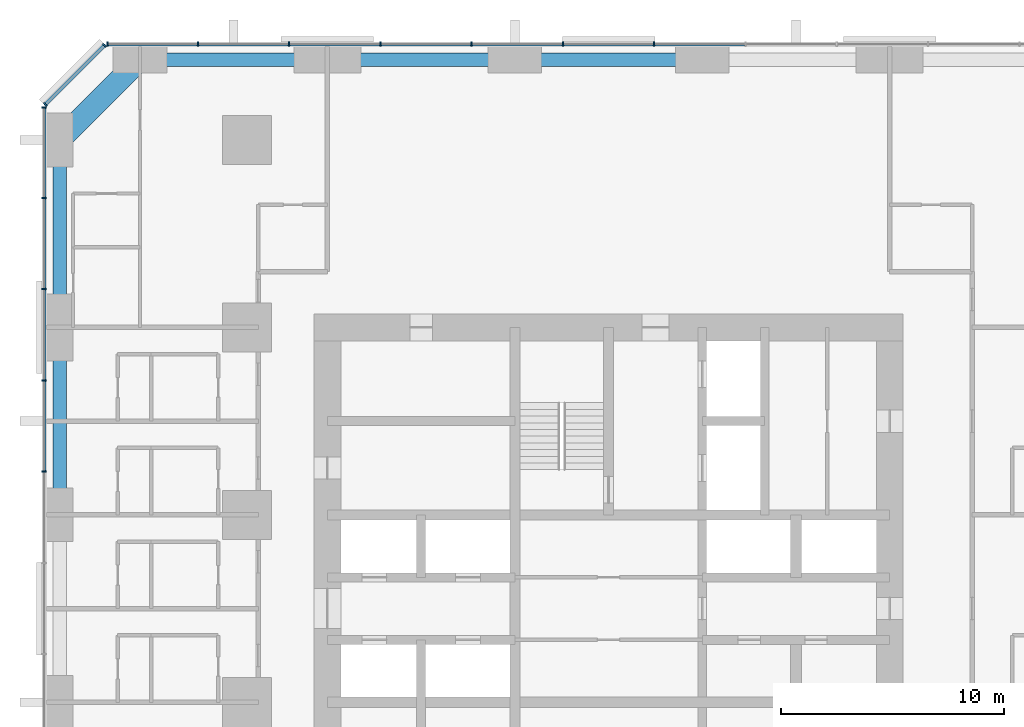
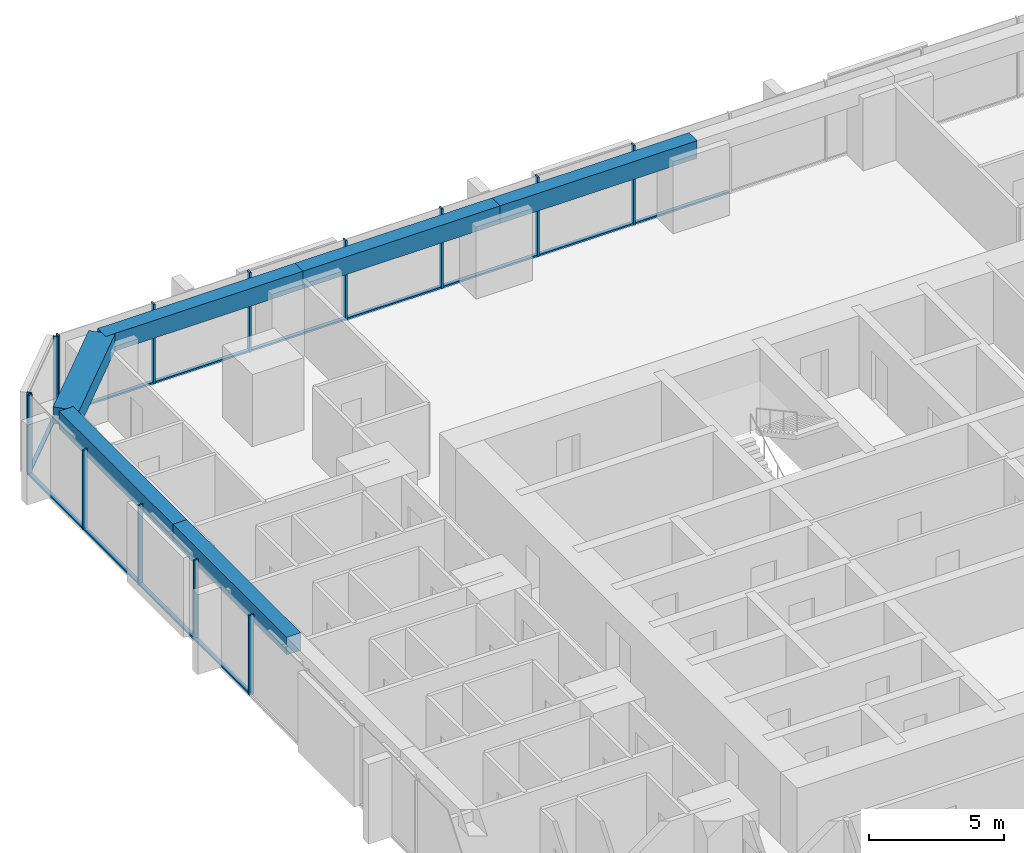
# One storey, part 5 of 13: 26 members, 6 beams, 3 elements without a shape of their own.
"""IFC4 building model written with IfcOpenShell, lengths in metres."""

from ifc_helpers import new_model, si_unit, direction, frame, origin, origin_2d, place, context, subcontext, project, spatial, rectangle, extrude, material, material_profile, profile_set, type_object, element, aggregate, save


model = new_model("IFC4")

# Units and contexts
model_context = context("Model", 3, precision=1e-05, world=origin(), true_north=direction((0.0, 1.0)))
body_context = subcontext(model_context, "Body", "Model", "MODEL_VIEW")
ifc_project = project(units=[si_unit("LENGTHUNIT", "METRE"), si_unit("AREAUNIT", "SQUARE_METRE"), si_unit("VOLUMEUNIT", "CUBIC_METRE"), si_unit("PLANEANGLEUNIT", "RADIAN"), si_unit("MASSUNIT", "GRAM", prefix="KILO")], contexts=[model_context])

# Site, building, storey
site_placement = place(None, origin())
site = spatial("IfcSite", under=ifc_project, at=site_placement, CompositionType="ELEMENT")
building_placement = place(site_placement, origin())
building = spatial("IfcBuilding", under=site, at=building_placement, Name="Dunama Terrace Hotel", CompositionType="ELEMENT")
storey_placement = place(building_placement, frame((0.0, 0.0, 162.60009765625)))
storey = spatial("IfcBuildingStorey", under=building, at=storey_placement, Name="L41", CompositionType="ELEMENT", Elevation=162.60009765625)

# Curtain wall, members
ifc_material_1 = material(Name="Aluminium curtain wall system", Category="aluminium")
curtain_wall_type = type_object("IfcCurtainWallType", Name="Unitised fritted glass wall CW-C", PredefinedType="NOTDEFINED", material=ifc_material_1)
curtain_wall_1_placement = place(storey_placement, origin())
curtain_wall_1 = element("IfcCurtainWall", 1, at=curtain_wall_1_placement, inside=storey, type_object=curtain_wall_type, Name="Unitised fritted glass wall CW-C L41", PredefinedType="NOTDEFINED")
ifc_material_2 = material(Name="Aluminium mullion", Category="aluminium")
ifc_material_profile_1 = material_profile(ifc_material_2, rectangle(XDim=0.070068359375, YDim=0.199951171875, at=origin_2d()), Name="CWC MULLION 70X200")
ifc_profile_set_1 = profile_set([ifc_material_profile_1], Name="Aluminium mullion")
member_type_1 = type_object("IfcMemberType", Name="CWC mullion 70x200", PredefinedType="MULLION", material=ifc_profile_set_1)
member_1_placement = place(storey_placement, frame((31.445068359375, 54.699951171875, 0.0), z_axis=(0.0, 0.0, 1.0), x_axis=(-1.0, 0.0, 0.0)))
member_1 = element("IfcMember", 2, at=member_1_placement, type_object=member_type_1, Name="CWC mullion", PredefinedType="MULLION", context=body_context, shape_type="SweptSolid", body=[
    extrude(rectangle(XDim=0.070068359375, YDim=0.199951171875, at=origin_2d()), origin(), (0.0, 0.0, 1.0), 3.599853515625),
])
member_2_placement = place(storey_placement, frame((27.35498046875, 54.699951171875, 0.0), z_axis=(0.0, 0.0, 1.0), x_axis=(-1.0, 0.0, 0.0)))
member_2 = element("IfcMember", 3, at=member_2_placement, type_object=member_type_1, Name="CWC mullion", PredefinedType="MULLION", context=body_context, shape_type="SweptSolid", body=[
    extrude(rectangle(XDim=0.070068359375, YDim=0.199951171875, at=origin_2d()), origin(), (0.0, 0.0, 1.0), 3.599853515625),
])
member_3_placement = place(storey_placement, frame((23.263916015625, 54.699951171875, 0.0), z_axis=(0.0, 0.0, 1.0), x_axis=(-1.0, 0.0, 0.0)))
member_3 = element("IfcMember", 4, at=member_3_placement, type_object=member_type_1, Name="CWC mullion", PredefinedType="MULLION", context=body_context, shape_type="SweptSolid", body=[
    extrude(rectangle(XDim=0.070068359375, YDim=0.199951171875, at=origin_2d()), origin(), (0.0, 0.0, 1.0), 3.599853515625),
])
member_4_placement = place(storey_placement, frame((19.173095703125, 54.699951171875, 0.0), z_axis=(0.0, 0.0, 1.0), x_axis=(-1.0, 0.0, 0.0)))
member_4 = element("IfcMember", 5, at=member_4_placement, type_object=member_type_1, Name="CWC mullion", PredefinedType="MULLION", context=body_context, shape_type="SweptSolid", body=[
    extrude(rectangle(XDim=0.070068359375, YDim=0.199951171875, at=origin_2d()), origin(), (0.0, 0.0, 1.0), 3.599853515625),
])
member_5_placement = place(storey_placement, frame((15.08203125, 54.699951171875, 0.0), z_axis=(0.0, 0.0, 1.0), x_axis=(-1.0, 0.0, 0.0)))
member_5 = element("IfcMember", 6, at=member_5_placement, type_object=member_type_1, Name="CWC mullion", PredefinedType="MULLION", context=body_context, shape_type="SweptSolid", body=[
    extrude(rectangle(XDim=0.070068359375, YDim=0.199951171875, at=origin_2d()), origin(), (0.0, 0.0, 1.0), 3.599853515625),
])
member_6_placement = place(storey_placement, frame((10.990966796875, 54.699951171875, 0.0), z_axis=(0.0, 0.0, 1.0), x_axis=(-1.0, 0.0, 0.0)))
member_6 = element("IfcMember", 7, at=member_6_placement, type_object=member_type_1, Name="CWC mullion", PredefinedType="MULLION", context=body_context, shape_type="SweptSolid", body=[
    extrude(rectangle(XDim=0.070068359375, YDim=0.199951171875, at=origin_2d()), origin(), (0.0, 0.0, 1.0), 3.599853515625),
])
member_7_placement = place(storey_placement, frame((6.93505859375, 54.699951171875, 0.0), z_axis=(0.0, 0.0, 1.0), x_axis=(-1.0, 0.0, 0.0)))
member_7 = element("IfcMember", 8, at=member_7_placement, type_object=member_type_1, Name="CWC mullion", PredefinedType="MULLION", context=body_context, shape_type="SweptSolid", body=[
    extrude(rectangle(XDim=0.070068359375, YDim=0.199951171875, at=origin_2d()), origin(), (0.0, 0.0, 1.0), 3.599853515625),
])

curtain_wall_2_placement = place(storey_placement, origin())
curtain_wall_2 = element("IfcCurtainWall", 9, at=curtain_wall_2_placement, inside=storey, type_object=curtain_wall_type, Name="Unitised fritted glass wall CW-C L41", PredefinedType="NOTDEFINED")
member_8_placement = place(storey_placement, frame((6.804931640625, 54.64599609375, 0.0), z_axis=(0.0, 0.0, 1.0), x_axis=(-0.707106781187, -0.707106781187, 0.0)))
member_8 = element("IfcMember", 10, at=member_8_placement, type_object=member_type_1, Name="CWC mullion", PredefinedType="MULLION", context=body_context, shape_type="SweptSolid", body=[
    extrude(rectangle(XDim=0.070068359375, YDim=0.199951171875, at=origin_2d()), origin(), (0.0, 0.0, 1.0), 3.599853515625),
])
member_9_placement = place(storey_placement, frame((4.154052734375, 51.9951171875, 0.0), z_axis=(0.0, 0.0, 1.0), x_axis=(-0.707106781187, -0.707106781187, 0.0)))
member_9 = element("IfcMember", 11, at=member_9_placement, type_object=member_type_1, Name="CWC mullion", PredefinedType="MULLION", context=body_context, shape_type="SweptSolid", body=[
    extrude(rectangle(XDim=0.070068359375, YDim=0.199951171875, at=origin_2d()), origin(), (0.0, 0.0, 1.0), 3.599853515625),
])

curtain_wall_3_placement = place(storey_placement, origin())
curtain_wall_3 = element("IfcCurtainWall", 12, at=curtain_wall_3_placement, inside=storey, type_object=curtain_wall_type, Name="Unitised fritted glass wall CW-C L41", PredefinedType="NOTDEFINED")
member_10_placement = place(storey_placement, frame((4.10009765625, 51.864990234375, 0.0), z_axis=(0.0, 0.0, 1.0), x_axis=(0.0, -1.0, 0.0)))
member_10 = element("IfcMember", 13, at=member_10_placement, type_object=member_type_1, Name="CWC mullion", PredefinedType="MULLION", context=body_context, shape_type="SweptSolid", body=[
    extrude(rectangle(XDim=0.070068359375, YDim=0.199951171875, at=origin_2d()), origin(), (0.0, 0.0, 1.0), 3.599853515625),
])
member_11_placement = place(storey_placement, frame((4.10009765625, 47.80908203125, 0.0), z_axis=(0.0, 0.0, 1.0), x_axis=(0.0, -1.0, 0.0)))
member_11 = element("IfcMember", 14, at=member_11_placement, type_object=member_type_1, Name="CWC mullion", PredefinedType="MULLION", context=body_context, shape_type="SweptSolid", body=[
    extrude(rectangle(XDim=0.070068359375, YDim=0.199951171875, at=origin_2d()), origin(), (0.0, 0.0, 1.0), 3.599853515625),
])
member_12_placement = place(storey_placement, frame((4.10009765625, 43.718017578125, 0.0), z_axis=(0.0, 0.0, 1.0), x_axis=(0.0, -1.0, 0.0)))
member_12 = element("IfcMember", 15, at=member_12_placement, type_object=member_type_1, Name="CWC mullion", PredefinedType="MULLION", context=body_context, shape_type="SweptSolid", body=[
    extrude(rectangle(XDim=0.070068359375, YDim=0.199951171875, at=origin_2d()), origin(), (0.0, 0.0, 1.0), 3.599853515625),
])
member_13_placement = place(storey_placement, frame((4.10009765625, 39.626953125, 0.0), z_axis=(0.0, 0.0, 1.0), x_axis=(0.0, -1.0, 0.0)))
member_13 = element("IfcMember", 16, at=member_13_placement, type_object=member_type_1, Name="CWC mullion", PredefinedType="MULLION", context=body_context, shape_type="SweptSolid", body=[
    extrude(rectangle(XDim=0.070068359375, YDim=0.199951171875, at=origin_2d()), origin(), (0.0, 0.0, 1.0), 3.599853515625),
])
member_14_placement = place(storey_placement, frame((4.10009765625, 35.535888671875, 0.0), z_axis=(0.0, 0.0, 1.0), x_axis=(0.0, -1.0, 0.0)))
member_14 = element("IfcMember", 17, at=member_14_placement, type_object=member_type_1, Name="CWC mullion", PredefinedType="MULLION", context=body_context, shape_type="SweptSolid", body=[
    extrude(rectangle(XDim=0.070068359375, YDim=0.199951171875, at=origin_2d()), origin(), (0.0, 0.0, 1.0), 3.599853515625),
])

# Member
ifc_material_3 = material(Name="Aluminium transom", Category="aluminium")
ifc_material_profile_2 = material_profile(ifc_material_3, rectangle(XDim=0.159912109375, YDim=0.080078125, at=origin_2d()), Name="CWC TRANSOM 160X80")
ifc_profile_set_2 = profile_set([ifc_material_profile_2], Name="Aluminium transom")
member_type_2 = type_object("IfcMemberType", Name="CWC transom 160x80", PredefinedType="USERDEFINED", material=ifc_profile_set_2)
member_15_placement = place(storey_placement, frame((35.5009765625, 54.699951171875, 0.039794921875), z_axis=(-1.0, 0.0, 0.0), x_axis=(0.0, -1.0, 0.0)))
member_15 = element("IfcMember", 18, at=member_15_placement, type_object=member_type_2, Name="CWC transom", ObjectType="TRANSOM", PredefinedType="USERDEFINED", context=body_context, shape_type="SweptSolid", body=[
    extrude(rectangle(XDim=0.159912109375, YDim=0.080078125, at=origin_2d()), origin(), (0.0, 0.0, 1.0), 4.02099609375),
])

member_16_placement = place(storey_placement, frame((31.409912109375, 54.699951171875, 0.039794921875), z_axis=(-1.0, 0.0, 0.0), x_axis=(0.0, -1.0, 0.0)))
member_16 = element("IfcMember", 19, at=member_16_placement, type_object=member_type_2, Name="CWC transom", ObjectType="TRANSOM", PredefinedType="USERDEFINED", context=body_context, shape_type="SweptSolid", body=[
    extrude(rectangle(XDim=0.159912109375, YDim=0.080078125, at=origin_2d()), origin(), (0.0, 0.0, 1.0), 4.02001953125),
])

member_17_placement = place(storey_placement, frame((27.320068359375, 54.699951171875, 0.039794921875), z_axis=(-1.0, 0.0, 0.0), x_axis=(0.0, -1.0, 0.0)))
member_17 = element("IfcMember", 20, at=member_17_placement, type_object=member_type_2, Name="CWC transom", ObjectType="TRANSOM", PredefinedType="USERDEFINED", context=body_context, shape_type="SweptSolid", body=[
    extrude(rectangle(XDim=0.159912109375, YDim=0.080078125, at=origin_2d()), origin(), (0.0, 0.0, 1.0), 4.02099609375),
])

member_18_placement = place(storey_placement, frame((23.22900390625, 54.699951171875, 0.039794921875), z_axis=(-1.0, 0.0, 0.0), x_axis=(0.0, -1.0, 0.0)))
member_18 = element("IfcMember", 21, at=member_18_placement, type_object=member_type_2, Name="CWC transom", ObjectType="TRANSOM", PredefinedType="USERDEFINED", context=body_context, shape_type="SweptSolid", body=[
    extrude(rectangle(XDim=0.159912109375, YDim=0.080078125, at=origin_2d()), origin(), (0.0, 0.0, 1.0), 4.02099609375),
])

member_19_placement = place(storey_placement, frame((19.137939453125, 54.699951171875, 0.039794921875), z_axis=(-1.0, 0.0, 0.0), x_axis=(0.0, -1.0, 0.0)))
member_19 = element("IfcMember", 22, at=member_19_placement, type_object=member_type_2, Name="CWC transom", ObjectType="TRANSOM", PredefinedType="USERDEFINED", context=body_context, shape_type="SweptSolid", body=[
    extrude(rectangle(XDim=0.159912109375, YDim=0.080078125, at=origin_2d()), origin(), (0.0, 0.0, 1.0), 4.02099609375),
])

member_20_placement = place(storey_placement, frame((15.047119140625, 54.699951171875, 0.039794921875), z_axis=(-1.0, 0.0, 0.0), x_axis=(0.0, -1.0, 0.0)))
member_20 = element("IfcMember", 23, at=member_20_placement, type_object=member_type_2, Name="CWC transom", ObjectType="TRANSOM", PredefinedType="USERDEFINED", context=body_context, shape_type="SweptSolid", body=[
    extrude(rectangle(XDim=0.159912109375, YDim=0.080078125, at=origin_2d()), origin(), (0.0, 0.0, 1.0), 4.021240234375),
])

member_21_placement = place(storey_placement, frame((10.9560546875, 54.699951171875, 0.039794921875), z_axis=(-1.0, 0.0, 0.0), x_axis=(0.0, -1.0, 0.0)))
member_21 = element("IfcMember", 24, at=member_21_placement, type_object=member_type_2, Name="CWC transom", ObjectType="TRANSOM", PredefinedType="USERDEFINED", context=body_context, shape_type="SweptSolid", body=[
    extrude(rectangle(XDim=0.159912109375, YDim=0.080078125, at=origin_2d()), origin(), (0.0, 0.0, 1.0), 3.986083984375),
])

aggregate(curtain_wall_1, [member_1, member_2, member_3, member_4, member_5, member_6, member_7, member_15, member_16, member_17, member_18, member_19, member_20, member_21])

member_22_placement = place(storey_placement, frame((6.780029296875, 54.62109375, 0.039794921875), z_axis=(-0.707106781187, -0.707106781187, 0.0), x_axis=(0.707106781187, -0.707106781187, 0.0)))
member_22 = element("IfcMember", 25, at=member_22_placement, type_object=member_type_2, Name="CWC transom", ObjectType="TRANSOM", PredefinedType="USERDEFINED", context=body_context, shape_type="SweptSolid", body=[
    extrude(rectangle(XDim=0.159912109375, YDim=0.080078125, at=origin_2d()), origin(), (0.0, 0.0, 1.0), 3.678466796875),
])

aggregate(curtain_wall_2, [member_8, member_9, member_22])

member_23_placement = place(storey_placement, frame((4.10009765625, 51.830078125, 0.039794921875), z_axis=(0.0, -1.0, 0.0), x_axis=(1.0, 0.0, 0.0)))
member_23 = element("IfcMember", 26, at=member_23_placement, type_object=member_type_2, Name="CWC transom", ObjectType="TRANSOM", PredefinedType="USERDEFINED", context=body_context, shape_type="SweptSolid", body=[
    extrude(rectangle(XDim=0.159912109375, YDim=0.080078125, at=origin_2d()), origin(), (0.0, 0.0, 1.0), 3.986083984375),
])

member_24_placement = place(storey_placement, frame((4.10009765625, 47.77392578125, 0.039794921875), z_axis=(0.0, -1.0, 0.0), x_axis=(1.0, 0.0, 0.0)))
member_24 = element("IfcMember", 27, at=member_24_placement, type_object=member_type_2, Name="CWC transom", ObjectType="TRANSOM", PredefinedType="USERDEFINED", context=body_context, shape_type="SweptSolid", body=[
    extrude(rectangle(XDim=0.159912109375, YDim=0.080078125, at=origin_2d()), origin(), (0.0, 0.0, 1.0), 4.02099609375),
])

member_25_placement = place(storey_placement, frame((4.10009765625, 43.68310546875, 0.039794921875), z_axis=(0.0, -1.0, 0.0), x_axis=(1.0, 0.0, 0.0)))
member_25 = element("IfcMember", 28, at=member_25_placement, type_object=member_type_2, Name="CWC transom", ObjectType="TRANSOM", PredefinedType="USERDEFINED", context=body_context, shape_type="SweptSolid", body=[
    extrude(rectangle(XDim=0.159912109375, YDim=0.080078125, at=origin_2d()), origin(), (0.0, 0.0, 1.0), 4.02099609375),
])

member_26_placement = place(storey_placement, frame((4.10009765625, 39.592041015625, 0.039794921875), z_axis=(0.0, -1.0, 0.0), x_axis=(1.0, 0.0, 0.0)))
member_26 = element("IfcMember", 29, at=member_26_placement, type_object=member_type_2, Name="CWC transom", ObjectType="TRANSOM", PredefinedType="USERDEFINED", context=body_context, shape_type="SweptSolid", body=[
    extrude(rectangle(XDim=0.159912109375, YDim=0.080078125, at=origin_2d()), origin(), (0.0, 0.0, 1.0), 4.02099609375),
])

aggregate(curtain_wall_3, [member_10, member_11, member_12, member_13, member_14, member_23, member_24, member_25, member_26])

# Beams
ifc_material_4 = material(Name="Concrete C50/60", Category="concrete")
ifc_material_profile_3 = material_profile(ifc_material_4, rectangle(XDim=1.0, YDim=0.75, at=origin_2d()), Name="RC 1000x750")
ifc_profile_set_3 = profile_set([ifc_material_profile_3], Name="Concrete C50/60")
beam_type_1 = type_object("IfcBeamType", Name="Edge beam RC 1000x750", PredefinedType="SPANDREL", material=ifc_profile_set_3)
beam_1_placement = place(storey_placement, frame((8.39990234375, 54.0, 3.224853515625), z_axis=(-0.707082803744, -0.707130757816, 0.0), x_axis=(0.707130757816, -0.707082803744, 0.0)))
element("IfcBeam", 30, at=beam_1_placement, inside=storey, type_object=beam_type_1, Name="Corner edge beam under L42", PredefinedType="SPANDREL", context=body_context, shape_type="SweptSolid", body=[
    extrude(rectangle(XDim=1.0, YDim=0.75, at=origin_2d()), origin(), (0.0, 0.0, 1.0), 5.091064453125),
])
ifc_material_5 = material(Name="Concrete C40/50", Category="concrete")
ifc_material_profile_4 = material_profile(ifc_material_5, rectangle(XDim=0.60009765625, YDim=0.800048828125, at=origin_2d()), Name="RC 600x800")
ifc_profile_set_4 = profile_set([ifc_material_profile_4], Name="Concrete C40/50")
beam_type_2 = type_object("IfcBeamType", Name="Edge beam RC 600x800", PredefinedType="SPANDREL", material=ifc_profile_set_4)
for number, where, z_axis, x_axis, name in (
    (31, (4.800048828125, 33.60009765625, 3.199951171875), (0.0, 1.0, 0.0), (-1.0, 0.0, 0.0), "Edge beam under L42"),
    (32, (4.800048828125, 42.0, 3.199951171875), (0.0, 1.0, 0.0), (-1.0, 0.0, 0.0), "Edge beam under L42"),
):
    element("IfcBeam", number, at=place(storey_placement, frame(where, z_axis=z_axis, x_axis=x_axis)), inside=storey, type_object=beam_type_2, Name=name, PredefinedType="SPANDREL", context=body_context, shape_type="SweptSolid", body=[
        extrude(rectangle(XDim=0.60009765625, YDim=0.800048828125, at=origin_2d()), origin(), (0.0, 0.0, 1.0), 8.39990234375),
    ])
beam_2_placement = place(storey_placement, frame((8.39990234375, 54.0, 3.199951171875), z_axis=(1.0, 0.0, 0.0), x_axis=(0.0, 1.0, 0.0)))
element("IfcBeam", 33, at=beam_2_placement, inside=storey, type_object=beam_type_2, Name="Edge beam under L42", PredefinedType="SPANDREL", context=body_context, shape_type="SweptSolid", body=[
    extrude(rectangle(XDim=0.60009765625, YDim=0.800048828125, at=origin_2d()), origin(), (0.0, 0.0, 1.0), 8.400146484375),
])
beam_3_placement = place(storey_placement, frame((16.800048828125, 54.0, 3.199951171875), z_axis=(1.0, 0.0, 0.0), x_axis=(0.0, 1.0, 0.0)))
element("IfcBeam", 34, at=beam_3_placement, inside=storey, type_object=beam_type_2, Name="Edge beam under L42", PredefinedType="SPANDREL", context=body_context, shape_type="SweptSolid", body=[
    extrude(rectangle(XDim=0.60009765625, YDim=0.800048828125, at=origin_2d()), origin(), (0.0, 0.0, 1.0), 8.39990234375),
])
beam_4_placement = place(storey_placement, frame((25.199951171875, 54.0, 3.199951171875), z_axis=(1.0, 0.0, 0.0), x_axis=(0.0, 1.0, 0.0)))
element("IfcBeam", 35, at=beam_4_placement, inside=storey, type_object=beam_type_2, Name="Edge beam under L42", PredefinedType="SPANDREL", context=body_context, shape_type="SweptSolid", body=[
    extrude(rectangle(XDim=0.60009765625, YDim=0.800048828125, at=origin_2d()), origin(), (0.0, 0.0, 1.0), 8.400146484375),
])

save(model, "model.ifc")
